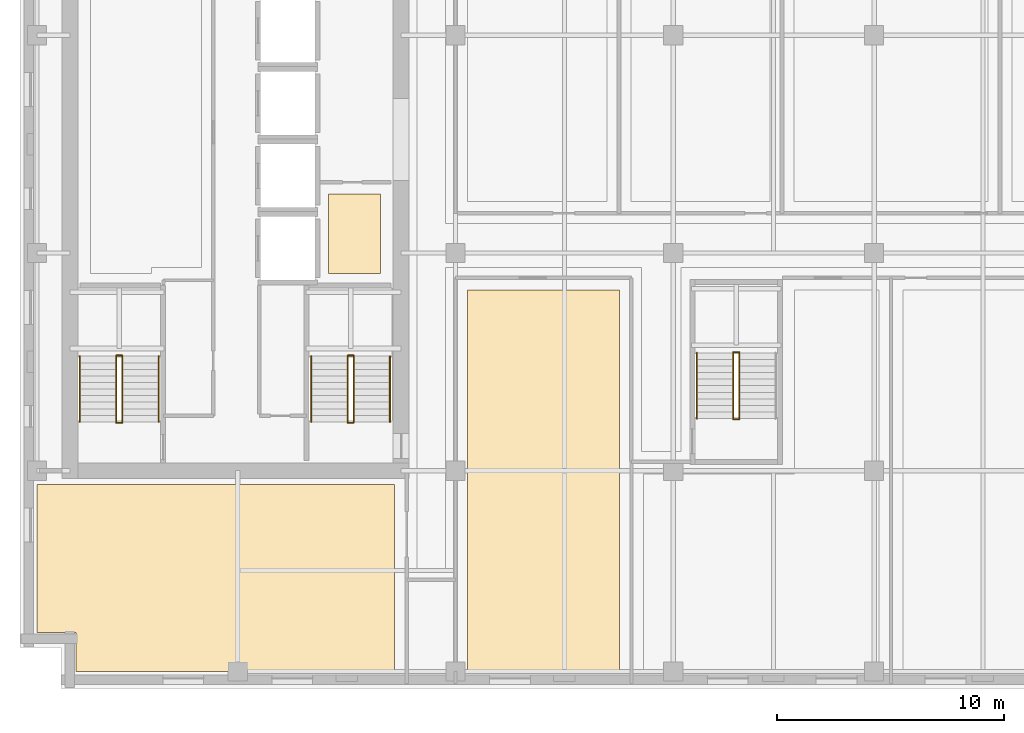
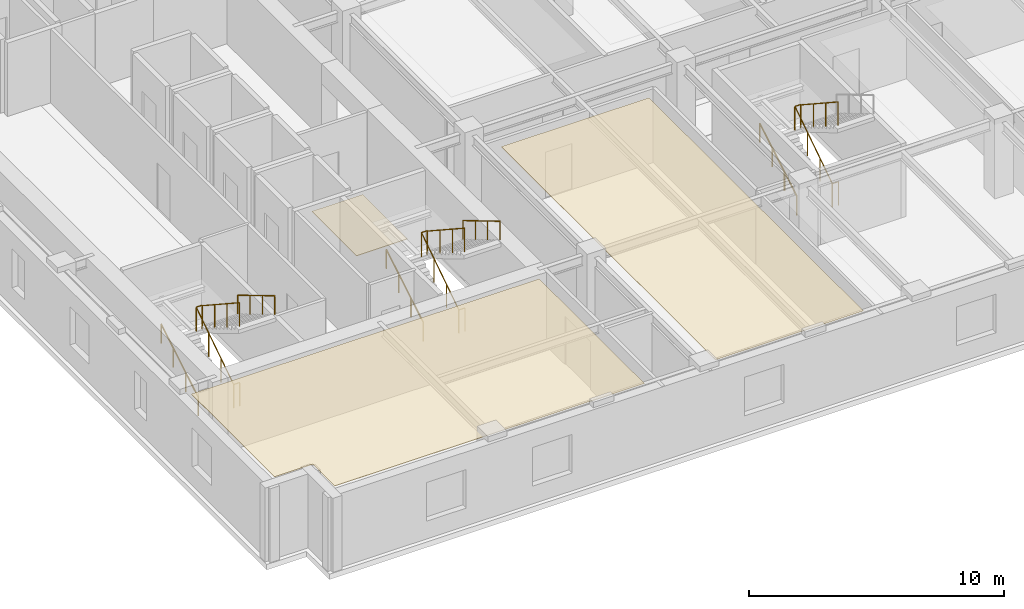
# One storey, part 8 of 11: 17 railings, 3 coverings.
"""IFC4 building model written with IfcOpenShell, lengths in metres."""

from ifc_helpers import new_model, si_unit, direction, frame, origin, origin_2d, place, context, subcontext, project, spatial, polyline, circle, outline, extrude, material, layer, layer_set, type_object, element, save


model = new_model("IFC4")

# Units and contexts
model_context = context("Model", 3, precision=1e-05, world=origin(), true_north=direction((0.0, 1.0)))
body_context = subcontext(model_context, "Body", "Model", "MODEL_VIEW")
ifc_project = project(units=[si_unit("LENGTHUNIT", "METRE"), si_unit("AREAUNIT", "SQUARE_METRE"), si_unit("VOLUMEUNIT", "CUBIC_METRE"), si_unit("PLANEANGLEUNIT", "RADIAN"), si_unit("MASSUNIT", "GRAM", prefix="KILO")], contexts=[model_context])

# Site, building, storey
site_placement = place(None, origin())
site = spatial("IfcSite", under=ifc_project, at=site_placement, CompositionType="ELEMENT")
building_placement = place(site_placement, origin())
building = spatial("IfcBuilding", under=site, at=building_placement, Name="Norrvale University Quadrangle", CompositionType="ELEMENT")
storey_placement = place(building_placement, frame((0.0, 0.0, 210.39990234375)))
storey = spatial("IfcBuildingStorey", under=building, at=storey_placement, Name="L53", CompositionType="ELEMENT", Elevation=210.39990234375)

# Coverings
ifc_material_1 = material(Name="Perforated Acoustic Mineral Ceiling")
ifc_layer_1 = layer(ifc_material_1, 0.02490234375, Name="Perforated Acoustic Mineral Ceiling")
ifc_layer_set_1 = layer_set([ifc_layer_1], Name="Perforated Acoustic Mineral Ceiling")
covering_type_1 = type_object("IfcCoveringType", Name="Covering Acoustic Ceiling 25", PredefinedType="CEILING", material=ifc_layer_set_1)
covering_1_placement = place(storey_placement, frame((0.0, 0.0, 3.51513671875)))
element("IfcCovering", 1, at=covering_1_placement, inside=storey, type_object=covering_type_1, Name="Acoustic Ceiling RM-L53-SW1", PredefinedType="CEILING", context=body_context, shape_type="SweptSolid", body=[
    extrude(outline(polyline([(0.75, 9.0), (16.5, 9.0), (16.5, 0.75), (2.469970703125, 0.75), (2.469970703125, 2.469970703125), (0.75, 2.469970703125), (0.75, 9.0)])), origin(), (0.0, 0.0, 1.0), 0.02490234375),
])
covering_2_placement = place(storey_placement, frame((0.0, 0.0, 3.51513671875)))
element("IfcCovering", 2, at=covering_2_placement, inside=storey, type_object=covering_type_1, Name="Acoustic Ceiling RM-L53-SE1", PredefinedType="CEILING", context=body_context, shape_type="SweptSolid", body=[
    extrude(outline(polyline([(19.72998046875, 17.570068359375), (26.419921875, 17.570068359375), (26.419921875, 0.75), (19.72998046875, 0.75), (19.72998046875, 17.570068359375)])), origin(), (0.0, 0.0, 1.0), 0.02490234375),
])
ifc_material_2 = material(Name="Polished Terrazzo Flooring")
ifc_layer_2 = layer(ifc_material_2, 0.02490234375, Name="Polished Terrazzo Flooring")
ifc_layer_set_2 = layer_set([ifc_layer_2], Name="Polished Terrazzo Flooring")
covering_type_2 = type_object("IfcCoveringType", Name="Covering Terrazzo Floor 30", PredefinedType="FLOORING", material=ifc_layer_set_2)
covering_3_placement = place(storey_placement, origin())
element("IfcCovering", 3, at=covering_3_placement, inside=storey, type_object=covering_type_2, Name="Terrazzo Flooring RM-L53-JAN", PredefinedType="FLOORING", context=body_context, shape_type="SweptSolid", body=[
    extrude(outline(polyline([(13.60009765625, 18.300048828125), (13.60009765625, 21.800048828125), (15.89990234375, 21.800048828125), (15.89990234375, 18.300048828125), (13.60009765625, 18.300048828125)])), origin(), (0.0, 0.0, 1.0), 0.025146484375),
])

# Railings
ifc_material_3 = material(Name="Steel 350W Painted Balustrade", Category="steel")
railing_type_1 = type_object("IfcRailingType", Name="Railing Stair Guard 1100", PredefinedType="GUARDRAIL", material=ifc_material_3)
for number, where, name in (
    (4, (4.239990234375, 11.719970703125, 0.0), "Stair Floor Well Guard ST-01 L53"),
    (5, (4.239990234375, 14.679931640625, 1.900146484375), "Stair Mid-Landing Slot Guard ST-01 L53"),
):
    element("IfcRailing", number, at=place(storey_placement, frame(where)), inside=storey, type_object=railing_type_1, Name=name, PredefinedType="GUARDRAIL", context=body_context, shape_type="SweptSolid", body=[
        extrude(circle(Radius=0.02392578125, at=origin_2d()), frame((0.0, 0.0, 1.1259765625), z_axis=(1.0, 0.0, 0.0), x_axis=(0.0, 1.0, 0.0)), (0.0, 0.0, 1.0), 0.27001953125),
        extrude(circle(Radius=0.02099609375, at=origin_2d()), origin(), (0.0, 0.0, 1.0), 1.101806640625),
        extrude(circle(Radius=0.02099609375, at=origin_2d()), frame((0.27001953125, 0.0, 0.0)), (0.0, 0.0, 1.0), 1.101806640625),
    ])
railing_1_placement = place(storey_placement, frame((4.239990234375, 11.75, 0.0)))
element("IfcRailing", 6, at=railing_1_placement, inside=storey, type_object=railing_type_1, Name="Stair Lower Flight Inner Guard ST-01 L53", PredefinedType="GUARDRAIL", context=body_context, shape_type="SweptSolid", body=[
    extrude(circle(Radius=0.02392578125, at=origin_2d()), frame((0.0, 0.0, 1.1259765625), z_axis=(0.0, 0.836433300813, 0.548068730445), x_axis=(-1.0, 0.0, 0.0)), (0.0, 0.0, 1.0), 3.467041015625),
    extrude(circle(Radius=0.02099609375, at=origin_2d()), origin(), (0.0, 0.0, 1.0), 1.101806640625),
    extrude(circle(Radius=0.02099609375, at=origin_2d()), frame((0.0, 0.966552734375, 0.63330078125)), (0.0, 0.0, 1.0), 1.101806640625),
    extrude(circle(Radius=0.02099609375, at=origin_2d()), frame((0.0, 1.933349609375, 1.266845703125)), (0.0, 0.0, 1.0), 1.101806640625),
    extrude(circle(Radius=0.02099609375, at=origin_2d()), frame((0.0, 2.89990234375, 1.900146484375)), (0.0, 0.0, 1.0), 1.101806640625),
])
railing_2_placement = place(storey_placement, frame((4.510009765625, 14.64990234375, 1.900146484375)))
element("IfcRailing", 7, at=railing_2_placement, inside=storey, type_object=railing_type_1, Name="Stair Upper Flight Inner Guard ST-01 L53", PredefinedType="GUARDRAIL", context=body_context, shape_type="SweptSolid", body=[
    extrude(circle(Radius=0.02392578125, at=origin_2d()), frame((0.0, 0.0, 1.1259765625), z_axis=(0.0, -0.836465582154, 0.548019461216), x_axis=(1.0, 0.0, 0.0)), (0.0, 0.0, 1.0), 3.466796875),
    extrude(circle(Radius=0.02099609375, at=origin_2d()), origin(), (0.0, 0.0, 1.0), 1.101806640625),
    extrude(circle(Radius=0.02099609375, at=origin_2d()), frame((0.0, -0.966552734375, 0.63330078125)), (0.0, 0.0, 1.0), 1.101806640625),
    extrude(circle(Radius=0.02099609375, at=origin_2d()), frame((0.0, -1.933349609375, 1.2666015625)), (0.0, 0.0, 1.0), 1.101806640625),
    extrude(circle(Radius=0.02099609375, at=origin_2d()), frame((0.0, -2.89990234375, 1.89990234375)), (0.0, 0.0, 1.0), 1.101806640625),
])
for number, where, name in (
    (8, (14.43994140625, 11.719970703125, 0.0), "Stair Floor Well Guard ST-03 L53"),
    (9, (14.43994140625, 14.679931640625, 1.900146484375), "Stair Mid-Landing Slot Guard ST-03 L53"),
):
    element("IfcRailing", number, at=place(storey_placement, frame(where)), inside=storey, type_object=railing_type_1, Name=name, PredefinedType="GUARDRAIL", context=body_context, shape_type="SweptSolid", body=[
        extrude(circle(Radius=0.02392578125, at=origin_2d()), frame((0.0, 0.0, 1.1259765625), z_axis=(1.0, 0.0, 0.0), x_axis=(0.0, 1.0, 0.0)), (0.0, 0.0, 1.0), 0.27001953125),
        extrude(circle(Radius=0.02099609375, at=origin_2d()), origin(), (0.0, 0.0, 1.0), 1.101806640625),
        extrude(circle(Radius=0.02099609375, at=origin_2d()), frame((0.27001953125, 0.0, 0.0)), (0.0, 0.0, 1.0), 1.101806640625),
    ])
railing_3_placement = place(storey_placement, frame((14.43994140625, 11.75, 0.0)))
element("IfcRailing", 10, at=railing_3_placement, inside=storey, type_object=railing_type_1, Name="Stair Lower Flight Inner Guard ST-03 L53", PredefinedType="GUARDRAIL", context=body_context, shape_type="SweptSolid", body=[
    extrude(circle(Radius=0.02392578125, at=origin_2d()), frame((0.0, 0.0, 1.1259765625), z_axis=(0.0, 0.836433300813, 0.548068730445), x_axis=(-1.0, 0.0, 0.0)), (0.0, 0.0, 1.0), 3.467041015625),
    extrude(circle(Radius=0.02099609375, at=origin_2d()), origin(), (0.0, 0.0, 1.0), 1.101806640625),
    extrude(circle(Radius=0.02099609375, at=origin_2d()), frame((0.0, 0.966552734375, 0.63330078125)), (0.0, 0.0, 1.0), 1.101806640625),
    extrude(circle(Radius=0.02099609375, at=origin_2d()), frame((0.0, 1.933349609375, 1.266845703125)), (0.0, 0.0, 1.0), 1.101806640625),
    extrude(circle(Radius=0.02099609375, at=origin_2d()), frame((0.0, 2.89990234375, 1.900146484375)), (0.0, 0.0, 1.0), 1.101806640625),
])
railing_4_placement = place(storey_placement, frame((14.7099609375, 14.64990234375, 1.900146484375)))
element("IfcRailing", 11, at=railing_4_placement, inside=storey, type_object=railing_type_1, Name="Stair Upper Flight Inner Guard ST-03 L53", PredefinedType="GUARDRAIL", context=body_context, shape_type="SweptSolid", body=[
    extrude(circle(Radius=0.02392578125, at=origin_2d()), frame((0.0, 0.0, 1.1259765625), z_axis=(0.0, -0.836465582154, 0.548019461216), x_axis=(1.0, 0.0, 0.0)), (0.0, 0.0, 1.0), 3.466796875),
    extrude(circle(Radius=0.02099609375, at=origin_2d()), origin(), (0.0, 0.0, 1.0), 1.101806640625),
    extrude(circle(Radius=0.02099609375, at=origin_2d()), frame((0.0, -0.966552734375, 0.63330078125)), (0.0, 0.0, 1.0), 1.101806640625),
    extrude(circle(Radius=0.02099609375, at=origin_2d()), frame((0.0, -1.933349609375, 1.2666015625)), (0.0, 0.0, 1.0), 1.101806640625),
    extrude(circle(Radius=0.02099609375, at=origin_2d()), frame((0.0, -2.89990234375, 1.89990234375)), (0.0, 0.0, 1.0), 1.101806640625),
])
for number, where, name in (
    (12, (31.43994140625, 11.8701171875, 0.0), "Stair Floor Well Guard ST-04 L53"),
    (13, (31.43994140625, 14.830078125, 1.900146484375), "Stair Mid-Landing Slot Guard ST-04 L53"),
):
    element("IfcRailing", number, at=place(storey_placement, frame(where)), inside=storey, type_object=railing_type_1, Name=name, PredefinedType="GUARDRAIL", context=body_context, shape_type="SweptSolid", body=[
        extrude(circle(Radius=0.02392578125, at=origin_2d()), frame((0.0, 0.0, 1.1259765625), z_axis=(1.0, 0.0, 0.0), x_axis=(0.0, 1.0, 0.0)), (0.0, 0.0, 1.0), 0.27001953125),
        extrude(circle(Radius=0.02099609375, at=origin_2d()), origin(), (0.0, 0.0, 1.0), 1.101806640625),
        extrude(circle(Radius=0.02099609375, at=origin_2d()), frame((0.27001953125, 0.0, 0.0)), (0.0, 0.0, 1.0), 1.101806640625),
    ])
railing_5_placement = place(storey_placement, frame((31.43994140625, 11.89990234375, 0.0)))
element("IfcRailing", 14, at=railing_5_placement, inside=storey, type_object=railing_type_1, Name="Stair Lower Flight Inner Guard ST-04 L53", PredefinedType="GUARDRAIL", context=body_context, shape_type="SweptSolid", body=[
    extrude(circle(Radius=0.02392578125, at=origin_2d()), frame((0.0, 0.0, 1.1259765625), z_axis=(0.0, 0.836454451266, 0.548036450392), x_axis=(-1.0, 0.0, 0.0)), (0.0, 0.0, 1.0), 3.46728515625),
    extrude(circle(Radius=0.02099609375, at=origin_2d()), origin(), (0.0, 0.0, 1.0), 1.101806640625),
    extrude(circle(Radius=0.02099609375, at=origin_2d()), frame((0.0, 0.966796875, 0.63330078125)), (0.0, 0.0, 1.0), 1.101806640625),
    extrude(circle(Radius=0.02099609375, at=origin_2d()), frame((0.0, 1.933349609375, 1.266845703125)), (0.0, 0.0, 1.0), 1.101806640625),
    extrude(circle(Radius=0.02099609375, at=origin_2d()), frame((0.0, 2.900146484375, 1.900146484375)), (0.0, 0.0, 1.0), 1.101806640625),
])
railing_6_placement = place(storey_placement, frame((31.7099609375, 14.800048828125, 1.900146484375)))
element("IfcRailing", 15, at=railing_6_placement, inside=storey, type_object=railing_type_1, Name="Stair Upper Flight Inner Guard ST-04 L53", PredefinedType="GUARDRAIL", context=body_context, shape_type="SweptSolid", body=[
    extrude(circle(Radius=0.02392578125, at=origin_2d()), frame((0.0, 0.0, 1.1259765625), z_axis=(0.0, -0.836486729621, 0.547987181573), x_axis=(1.0, 0.0, 0.0)), (0.0, 0.0, 1.0), 3.467041015625),
    extrude(circle(Radius=0.02099609375, at=origin_2d()), origin(), (0.0, 0.0, 1.0), 1.101806640625),
    extrude(circle(Radius=0.02099609375, at=origin_2d()), frame((0.0, -0.966796875, 0.63330078125)), (0.0, 0.0, 1.0), 1.101806640625),
    extrude(circle(Radius=0.02099609375, at=origin_2d()), frame((0.0, -1.933349609375, 1.2666015625)), (0.0, 0.0, 1.0), 1.101806640625),
    extrude(circle(Radius=0.02099609375, at=origin_2d()), frame((0.0, -2.900146484375, 1.89990234375)), (0.0, 0.0, 1.0), 1.101806640625),
])
ifc_material_4 = material(Name="Stainless Steel 316L Handrail", Category="steel")
railing_type_2 = type_object("IfcRailingType", Name="Railing Stair Handrail 920", PredefinedType="HANDRAIL", material=ifc_material_4)
railing_7_placement = place(storey_placement, frame((2.639892578125, 11.75, 0.1728515625)))
element("IfcRailing", 16, at=railing_7_placement, inside=storey, type_object=railing_type_2, Name="Stair Lower Flight Handrail ST-01 L53", PredefinedType="HANDRAIL", context=body_context, shape_type="SweptSolid", body=[
    extrude(circle(Radius=0.02392578125, at=origin_2d()), frame((0.0, 0.0, 0.89599609375), z_axis=(0.0, 0.859141464434, 0.511738159696), x_axis=(-1.0, 0.0, 0.0)), (0.0, 0.0, 1.0), 3.375244140625),
    extrude(circle(Radius=0.02099609375, at=origin_2d()), origin(), (0.0, 0.0, 1.0), 0.871826171875),
    extrude(circle(Radius=0.02099609375, at=origin_2d()), frame((0.0, 0.966552734375, 0.57568359375)), (0.0, 0.0, 1.0), 0.871826171875),
    extrude(circle(Radius=0.02099609375, at=origin_2d()), frame((0.0, 1.933349609375, 1.151611328125)), (0.0, 0.0, 1.0), 0.871826171875),
    extrude(circle(Radius=0.02099609375, at=origin_2d()), frame((0.0, 2.89990234375, 1.727294921875)), (0.0, 0.0, 1.0), 0.871826171875),
])
railing_8_placement = place(storey_placement, frame((6.110107421875, 14.64990234375, 2.07275390625)))
element("IfcRailing", 17, at=railing_8_placement, inside=storey, type_object=railing_type_2, Name="Stair Upper Flight Handrail ST-01 L53", PredefinedType="HANDRAIL", context=body_context, shape_type="SweptSolid", body=[
    extrude(circle(Radius=0.02392578125, at=origin_2d()), frame((0.0, 0.0, 0.89599609375), z_axis=(0.0, -0.859141464434, 0.511738159696), x_axis=(1.0, 0.0, 0.0)), (0.0, 0.0, 1.0), 3.375244140625),
    extrude(circle(Radius=0.02099609375, at=origin_2d()), origin(), (0.0, 0.0, 1.0), 0.871826171875),
    extrude(circle(Radius=0.02099609375, at=origin_2d()), frame((0.0, -0.966552734375, 0.57568359375)), (0.0, 0.0, 1.0), 0.871826171875),
    extrude(circle(Radius=0.02099609375, at=origin_2d()), frame((0.0, -1.933349609375, 1.151611328125)), (0.0, 0.0, 1.0), 0.871826171875),
    extrude(circle(Radius=0.02099609375, at=origin_2d()), frame((0.0, -2.89990234375, 1.727294921875)), (0.0, 0.0, 1.0), 0.871826171875),
])
railing_9_placement = place(storey_placement, frame((12.840087890625, 11.75, 0.1728515625)))
element("IfcRailing", 18, at=railing_9_placement, inside=storey, type_object=railing_type_2, Name="Stair Lower Flight Handrail ST-03 L53", PredefinedType="HANDRAIL", context=body_context, shape_type="SweptSolid", body=[
    extrude(circle(Radius=0.02392578125, at=origin_2d()), frame((0.0, 0.0, 0.89599609375), z_axis=(0.0, 0.859141464434, 0.511738159696), x_axis=(-1.0, 0.0, 0.0)), (0.0, 0.0, 1.0), 3.375244140625),
    extrude(circle(Radius=0.02099609375, at=origin_2d()), origin(), (0.0, 0.0, 1.0), 0.871826171875),
    extrude(circle(Radius=0.02099609375, at=origin_2d()), frame((0.0, 0.966552734375, 0.57568359375)), (0.0, 0.0, 1.0), 0.871826171875),
    extrude(circle(Radius=0.02099609375, at=origin_2d()), frame((0.0, 1.933349609375, 1.151611328125)), (0.0, 0.0, 1.0), 0.871826171875),
    extrude(circle(Radius=0.02099609375, at=origin_2d()), frame((0.0, 2.89990234375, 1.727294921875)), (0.0, 0.0, 1.0), 0.871826171875),
])
railing_10_placement = place(storey_placement, frame((16.31005859375, 14.64990234375, 2.07275390625)))
element("IfcRailing", 19, at=railing_10_placement, inside=storey, type_object=railing_type_2, Name="Stair Upper Flight Handrail ST-03 L53", PredefinedType="HANDRAIL", context=body_context, shape_type="SweptSolid", body=[
    extrude(circle(Radius=0.02392578125, at=origin_2d()), frame((0.0, 0.0, 0.89599609375), z_axis=(0.0, -0.859141464434, 0.511738159696), x_axis=(1.0, 0.0, 0.0)), (0.0, 0.0, 1.0), 3.375244140625),
    extrude(circle(Radius=0.02099609375, at=origin_2d()), origin(), (0.0, 0.0, 1.0), 0.871826171875),
    extrude(circle(Radius=0.02099609375, at=origin_2d()), frame((0.0, -0.966552734375, 0.57568359375)), (0.0, 0.0, 1.0), 0.871826171875),
    extrude(circle(Radius=0.02099609375, at=origin_2d()), frame((0.0, -1.933349609375, 1.151611328125)), (0.0, 0.0, 1.0), 0.871826171875),
    extrude(circle(Radius=0.02099609375, at=origin_2d()), frame((0.0, -2.89990234375, 1.727294921875)), (0.0, 0.0, 1.0), 0.871826171875),
])
railing_11_placement = place(storey_placement, frame((29.840087890625, 11.89990234375, 0.1728515625)))
element("IfcRailing", 20, at=railing_11_placement, inside=storey, type_object=railing_type_2, Name="Stair Lower Flight Handrail ST-04 L53", PredefinedType="HANDRAIL", context=body_context, shape_type="SweptSolid", body=[
    extrude(circle(Radius=0.02392578125, at=origin_2d()), frame((0.0, 0.0, 0.89599609375), z_axis=(0.0, 0.859160404282, 0.51170636083), x_axis=(-1.0, 0.0, 0.0)), (0.0, 0.0, 1.0), 3.37548828125),
    extrude(circle(Radius=0.02099609375, at=origin_2d()), origin(), (0.0, 0.0, 1.0), 0.871826171875),
    extrude(circle(Radius=0.02099609375, at=origin_2d()), frame((0.0, 0.966796875, 0.57568359375)), (0.0, 0.0, 1.0), 0.871826171875),
    extrude(circle(Radius=0.02099609375, at=origin_2d()), frame((0.0, 1.933349609375, 1.151611328125)), (0.0, 0.0, 1.0), 0.871826171875),
    extrude(circle(Radius=0.02099609375, at=origin_2d()), frame((0.0, 2.900146484375, 1.727294921875)), (0.0, 0.0, 1.0), 0.871826171875),
])

save(model, "model.ifc")
